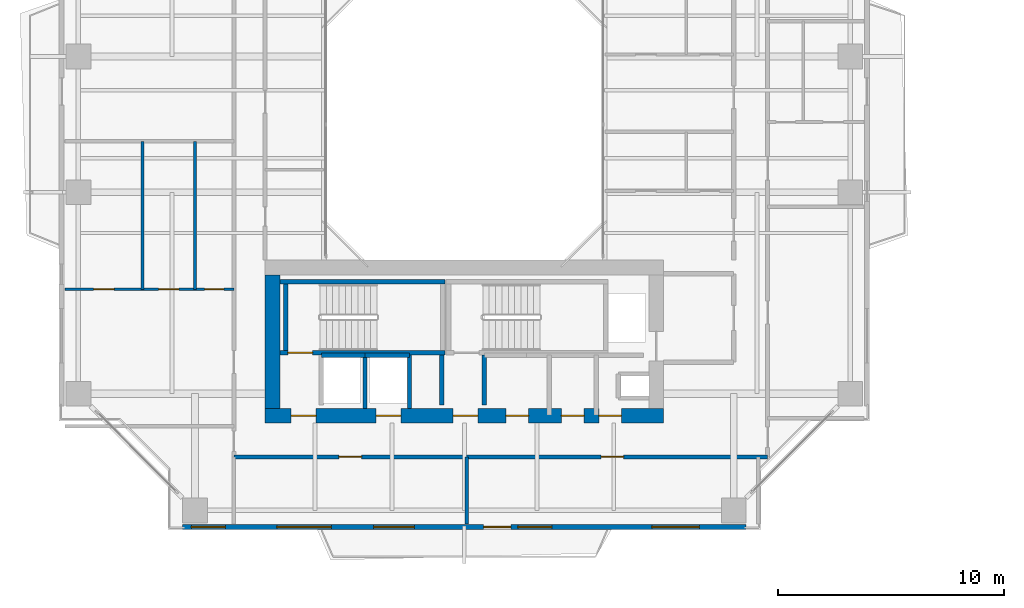
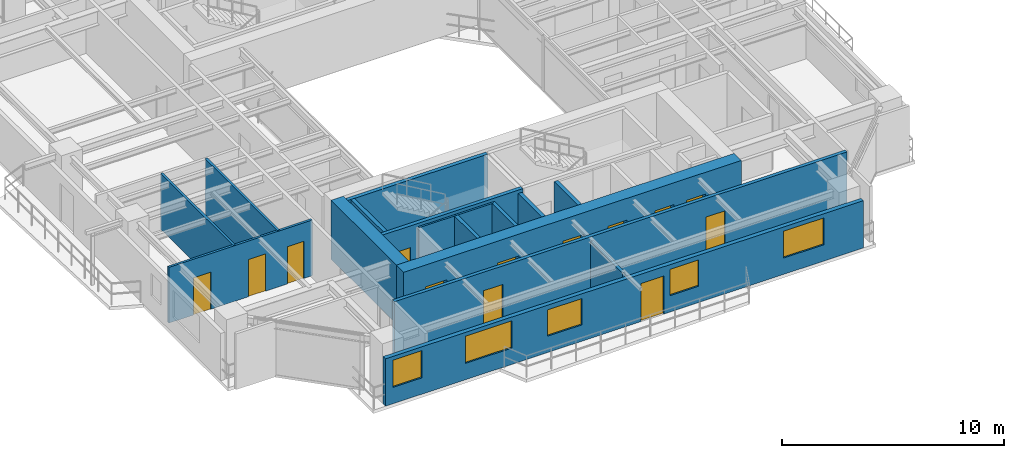
# One storey, part 13 of 23: 17 walls, 13 doors, 5 windows, 18 openings.
"""IFC4 building model written with IfcOpenShell, lengths in metres."""

from ifc_helpers import new_model, si_unit, direction, frame, frame_2d, origin, place, context, subcontext, project, spatial, rectangle, extrude, source, transform, mapped, material, layer, layer_set, type_object, element, fill, save


model = new_model("IFC4")

# Units and contexts
model_context = context("Model", 3, precision=1e-05, world=origin(), true_north=direction((0.0, 1.0)))
body_context = subcontext(model_context, "Body", "Model", "MODEL_VIEW")
ifc_project = project(units=[si_unit("LENGTHUNIT", "METRE"), si_unit("AREAUNIT", "SQUARE_METRE"), si_unit("VOLUMEUNIT", "CUBIC_METRE"), si_unit("PLANEANGLEUNIT", "RADIAN"), si_unit("MASSUNIT", "GRAM", prefix="KILO"), si_unit("THERMODYNAMICTEMPERATUREUNIT", "KELVIN"), si_unit("POWERUNIT", "WATT")], contexts=[model_context])

# Site, building, storey
site_placement = place(None, origin())
site = spatial("IfcSite", under=ifc_project, at=site_placement, CompositionType="ELEMENT")
building_placement = place(site_placement, origin())
building = spatial("IfcBuilding", under=site, at=building_placement, Name="Qiaomeng Ring Towers", CompositionType="ELEMENT")
storey_placement = place(building_placement, frame((0.0, 0.0, 100.25)))
storey = spatial("IfcBuildingStorey", under=building, at=storey_placement, Name="L28", CompositionType="ELEMENT", Elevation=100.25)

# Wall, openings, windows, door
ifc_material_1 = material(Name="Precast concrete C40", Category="concrete")
ifc_layer_1 = layer(ifc_material_1, 0.219970703125, Name="Precast concrete C40")
ifc_layer_set_1 = layer_set([ifc_layer_1], Name="Precast concrete C40")
wall_type_1 = type_object("IfcWallType", Name="ARC-WL-EW2", PredefinedType="STANDARD", material=ifc_layer_set_1)
wall_1_placement = place(storey_placement, frame((6.550048828125, 5.2099609375, 0.0), z_axis=(0.0, 0.0, 1.0), x_axis=(1.0, 0.0, 0.0)))
wall_1 = element("IfcWall", 1, at=wall_1_placement, inside=storey, type_object=wall_type_1, Name="L28 Tower 1 S Exterior Wall", PredefinedType="STANDARD", context=body_context, shape_type="SweptSolid", body=[
    extrude(rectangle(XDim=24.89990234375, YDim=0.219970703125, at=frame_2d((12.449951171875, 0.0))), origin(), (0.0, 0.0, 1.0), 2.610107421875),
])
opening_1_placement = place(wall_1_placement, frame((13.300048828125, 0.0, 0.0)))
opening_1 = element("IfcOpeningElement", 2, at=opening_1_placement, cuts=wall_1, Name="Opening BD1", PredefinedType="OPENING", context=body_context, shape_type="SweptSolid", body=[
    extrude(rectangle(XDim=1.199951171875, YDim=2.10009765625, at=frame_2d((0.60009765625, 1.050048828125))), frame((0.0, 0.119873046875, 0.0), z_axis=(0.0, -1.0, 0.0), x_axis=(1.0, 0.0, 0.0)), (0.0, 0.0, 1.0), 0.239990234375),
])
opening_2_placement = place(wall_1_placement, frame((0.392578125, 0.0, 0.89990234375)))
opening_2 = element("IfcOpeningElement", 3, at=opening_2_placement, cuts=wall_1, Name="Opening WN2", PredefinedType="OPENING", context=body_context, shape_type="SweptSolid", body=[
    extrude(rectangle(XDim=1.5, YDim=1.5, at=frame_2d((0.75, 0.75))), frame((0.0, 0.119873046875, 0.0), z_axis=(0.0, -1.0, 0.0), x_axis=(1.0, 0.0, 0.0)), (0.0, 0.0, 1.0), 0.239990234375),
])
opening_3_placement = place(wall_1_placement, frame((8.43798828125, 0.0, 0.89990234375)))
opening_3 = element("IfcOpeningElement", 4, at=opening_3_placement, cuts=wall_1, Name="Opening WN1", PredefinedType="OPENING", context=body_context, shape_type="SweptSolid", body=[
    extrude(rectangle(XDim=1.800048828125, YDim=1.449951171875, at=frame_2d((0.89990234375, 0.72509765625))), frame((0.0, 0.119873046875, 0.0), z_axis=(0.0, -1.0, 0.0), x_axis=(1.0, 0.0, 0.0)), (0.0, 0.0, 1.0), 0.239990234375),
])
opening_4_placement = place(wall_1_placement, frame((14.81298828125, 0.0, 0.89990234375)))
opening_4 = element("IfcOpeningElement", 5, at=opening_4_placement, cuts=wall_1, Name="Opening WN2", PredefinedType="OPENING", context=body_context, shape_type="SweptSolid", body=[
    extrude(rectangle(XDim=1.5, YDim=1.449951171875, at=frame_2d((0.75, 0.72509765625))), frame((0.0, 0.119873046875, 0.0), z_axis=(0.0, -1.0, 0.0), x_axis=(1.0, 0.0, 0.0)), (0.0, 0.0, 1.0), 0.239990234375),
])
opening_5_placement = place(wall_1_placement, frame((20.738037109375, 0.0, 0.89990234375)))
opening_5 = element("IfcOpeningElement", 6, at=opening_5_placement, cuts=wall_1, Name="Opening WN4", PredefinedType="OPENING", context=body_context, shape_type="SweptSolid", body=[
    extrude(rectangle(XDim=2.10009765625, YDim=1.47998046875, at=frame_2d((1.050048828125, 0.739990234375))), frame((0.0, 0.119873046875, 0.0), z_axis=(0.0, -1.0, 0.0), x_axis=(1.0, 0.0, 0.0)), (0.0, 0.0, 1.0), 0.239990234375),
])
opening_6_placement = place(wall_1_placement, frame((4.17138671875, 0.0, 0.89990234375)))
opening_6 = element("IfcOpeningElement", 7, at=opening_6_placement, cuts=wall_1, Name="Opening WN6", PredefinedType="OPENING", context=body_context, shape_type="SweptSolid", body=[
    extrude(rectangle(XDim=2.39990234375, YDim=1.5, at=frame_2d((1.199951171875, 0.75))), frame((0.0, 0.119873046875, 0.0), z_axis=(0.0, -1.0, 0.0), x_axis=(1.0, 0.0, 0.0)), (0.0, 0.0, 1.0), 0.239990234375),
])
ifc_material_2 = material(Name="Low-E dark-grey laminated double glazing", Category="glass")
window_type_1 = type_object("IfcWindowType", Name="ARC-WN-2", PartitioningType="DOUBLE_PANEL_VERTICAL", PredefinedType="WINDOW", material=ifc_material_2)
shared_shape_1 = source(origin(), body_context, "Body", "SweptSolid", [
    extrude(rectangle(XDim=1.5, YDim=1.449951171875, at=frame_2d((0.75, 0.72509765625))), frame((0.0, 0.030029296875, 0.0), z_axis=(0.0, -1.0, 0.0), x_axis=(1.0, 0.0, 0.0)), (0.0, 0.0, 1.0), 0.06005859375),
])
window_1_placement = place(opening_4_placement, origin())
window_1 = element("IfcWindow", 8, at=window_1_placement, inside=storey, type_object=window_type_1, Name="L28 Exterior Window WN2", OverallHeight=1.449951171875, OverallWidth=1.5, PartitioningType="DOUBLE_PANEL_VERTICAL", PredefinedType="WINDOW", context=body_context, shape_type="MappedRepresentation", body=[
    mapped(shared_shape_1, transform((0.0, 0.0, 0.0), x_axis=(1.0, 0.0, 0.0), y_axis=(0.0, 1.0, 0.0), z_axis=(0.0, 0.0, 1.0), scale=1.0)),
])
fill(opening_4, window_1)
window_type_2 = type_object("IfcWindowType", Name="ARC-WN-4", PartitioningType="TRIPLE_PANEL_VERTICAL", PredefinedType="WINDOW", material=ifc_material_2)
shared_shape_2 = source(origin(), body_context, "Body", "SweptSolid", [
    extrude(rectangle(XDim=2.10009765625, YDim=1.47998046875, at=frame_2d((1.050048828125, 0.739990234375))), frame((0.0, 0.030029296875, 0.0), z_axis=(0.0, -1.0, 0.0), x_axis=(1.0, 0.0, 0.0)), (0.0, 0.0, 1.0), 0.06005859375),
])
window_2_placement = place(opening_5_placement, origin())
window_2 = element("IfcWindow", 9, at=window_2_placement, inside=storey, type_object=window_type_2, Name="L28 Exterior Window WN4", OverallHeight=1.47998046875, OverallWidth=2.10009765625, PartitioningType="TRIPLE_PANEL_VERTICAL", PredefinedType="WINDOW", context=body_context, shape_type="MappedRepresentation", body=[
    mapped(shared_shape_2, transform((0.0, 0.0, 0.0), x_axis=(1.0, 0.0, 0.0), y_axis=(0.0, 1.0, 0.0), z_axis=(0.0, 0.0, 1.0), scale=1.0)),
])
fill(opening_5, window_2)
window_type_3 = type_object("IfcWindowType", Name="ARC-WN-1", PartitioningType="DOUBLE_PANEL_VERTICAL", PredefinedType="WINDOW", material=ifc_material_2)
shared_shape_3 = source(origin(), body_context, "Body", "SweptSolid", [
    extrude(rectangle(XDim=1.800048828125, YDim=1.449951171875, at=frame_2d((0.89990234375, 0.72509765625))), frame((0.0, 0.030029296875, 0.0), z_axis=(0.0, -1.0, 0.0), x_axis=(1.0, 0.0, 0.0)), (0.0, 0.0, 1.0), 0.06005859375),
])
window_3_placement = place(opening_3_placement, origin())
window_3 = element("IfcWindow", 10, at=window_3_placement, inside=storey, type_object=window_type_3, Name="L28 Exterior Window WN1", OverallHeight=1.449951171875, OverallWidth=1.800048828125, PartitioningType="DOUBLE_PANEL_VERTICAL", PredefinedType="WINDOW", context=body_context, shape_type="MappedRepresentation", body=[
    mapped(shared_shape_3, transform((0.0, 0.0, 0.0), x_axis=(1.0, 0.0, 0.0), y_axis=(0.0, 1.0, 0.0), z_axis=(0.0, 0.0, 1.0), scale=1.0)),
])
fill(opening_3, window_3)
door_type_1 = type_object("IfcDoorType", Name="ARC-DR-BD1", OperationType="NOTDEFINED", PredefinedType="DOOR", material=ifc_material_2)
shared_shape_4 = source(origin(), body_context, "Body", "SweptSolid", [
    extrude(rectangle(XDim=1.199951171875, YDim=2.10009765625, at=frame_2d((0.60009765625, 1.050048828125))), frame((0.0, 0.02490234375, 0.0), z_axis=(0.0, -1.0, 0.0), x_axis=(1.0, 0.0, 0.0)), (0.0, 0.0, 1.0), 0.050048828125),
])
door_1_placement = place(opening_1_placement, frame((1.199951171875, 0.0, 0.0), z_axis=(0.0, 0.0, 1.0), x_axis=(-1.0, 0.0, 0.0)))
door_1 = element("IfcDoor", 11, at=door_1_placement, inside=storey, type_object=door_type_1, Name="L28 S Balcony Glazed Door", OperationType="SINGLE_SWING_LEFT", OverallHeight=2.10009765625, OverallWidth=1.199951171875, PredefinedType="DOOR", context=body_context, shape_type="MappedRepresentation", body=[
    mapped(shared_shape_4, transform((0.0, 0.0, 0.0), x_axis=(1.0, 0.0, 0.0), y_axis=(0.0, 1.0, 0.0), z_axis=(0.0, 0.0, 1.0), scale=1.0)),
])
fill(opening_1, door_1)
shared_shape_5 = source(origin(), body_context, "Body", "SweptSolid", [
    extrude(rectangle(XDim=1.5, YDim=1.5, at=frame_2d((0.75, 0.75))), frame((0.0, 0.030029296875, 0.0), z_axis=(0.0, -1.0, 0.0), x_axis=(1.0, 0.0, 0.0)), (0.0, 0.0, 1.0), 0.06005859375),
])
window_4_placement = place(opening_2_placement, origin())
window_4 = element("IfcWindow", 12, at=window_4_placement, inside=storey, type_object=window_type_1, Name="L28 Exterior Window WN6", OverallHeight=1.5, OverallWidth=1.5, PartitioningType="TRIPLE_PANEL_VERTICAL", PredefinedType="WINDOW", context=body_context, shape_type="MappedRepresentation", body=[
    mapped(shared_shape_5, transform((0.0, 0.0, 0.0), x_axis=(1.0, 0.0, 0.0), y_axis=(0.0, 1.0, 0.0), z_axis=(0.0, 0.0, 1.0), scale=1.0)),
])
fill(opening_2, window_4)
window_type_4 = type_object("IfcWindowType", Name="ARC-WN-6", PartitioningType="TRIPLE_PANEL_VERTICAL", PredefinedType="WINDOW", material=ifc_material_2)
shared_shape_6 = source(origin(), body_context, "Body", "SweptSolid", [
    extrude(rectangle(XDim=2.39990234375, YDim=1.5, at=frame_2d((1.199951171875, 0.75))), frame((0.0, 0.030029296875, 0.0), z_axis=(0.0, -1.0, 0.0), x_axis=(1.0, 0.0, 0.0)), (0.0, 0.0, 1.0), 0.06005859375),
])
window_5_placement = place(opening_6_placement, origin())
window_5 = element("IfcWindow", 13, at=window_5_placement, inside=storey, type_object=window_type_4, Name="L28 Exterior Window WN6", OverallHeight=1.5, OverallWidth=2.39990234375, PartitioningType="TRIPLE_PANEL_VERTICAL", PredefinedType="WINDOW", context=body_context, shape_type="MappedRepresentation", body=[
    mapped(shared_shape_6, transform((0.0, 0.0, 0.0), x_axis=(1.0, 0.0, 0.0), y_axis=(0.0, 1.0, 0.0), z_axis=(0.0, 0.0, 1.0), scale=1.0)),
])
fill(opening_6, window_5)

# Walls
ifc_material_3 = material(Name="Autoclaved aerated concrete block", Category="concrete")
ifc_layer_2 = layer(ifc_material_3, 0.199951171875, Name="Autoclaved aerated concrete block")
ifc_layer_set_2 = layer_set([ifc_layer_2], Name="Autoclaved aerated concrete block")
wall_type_2 = type_object("IfcWallType", Name="ARC-WL-PW1", PredefinedType="PARTITIONING", material=ifc_layer_set_2)
for number, where, z_axis, x_axis, name in (
    (14, (18.0, 10.60009765625, 0.0), (0.0, 0.0, 1.0), (0.0, 1.0, 0.0), "L28 Interior Wall PW1"),
    (15, (19.8798828125, 10.60009765625, 0.0), (0.0, 0.0, 1.0), (0.0, 1.0, 0.0), "L28 Interior Wall PW1"),
):
    element("IfcWall", number, at=place(storey_placement, frame(where, z_axis=z_axis, x_axis=x_axis)), inside=storey, type_object=wall_type_2, Name=name, PredefinedType="PARTITIONING", context=body_context, shape_type="SweptSolid", body=[
        extrude(rectangle(XDim=2.2099609375, YDim=0.199951171875, at=frame_2d((1.10498046875, 0.0))), origin(), (0.0, 0.0, 1.0), 3.070068359375),
    ])

# Wall, openings, doors
ifc_layer_3 = layer(ifc_material_3, 0.179931640625, Name="Autoclaved aerated concrete block")
ifc_layer_set_3 = layer_set([ifc_layer_3], Name="Autoclaved aerated concrete block")
wall_type_3 = type_object("IfcWallType", Name="ARC-WL-PW2", PredefinedType="PARTITIONING", material=ifc_layer_set_3)
wall_2_placement = place(storey_placement, frame((8.820068359375, 8.31005859375, 0.0), z_axis=(0.0, 0.0, 1.0), x_axis=(1.0, 0.0, 0.0)))
wall_2 = element("IfcWall", 16, at=wall_2_placement, inside=storey, type_object=wall_type_3, Name="L28 Interior Wall PW2", PredefinedType="PARTITIONING", context=body_context, shape_type="SweptSolid", body=[
    extrude(rectangle(XDim=23.579833984375, YDim=0.179931640625, at=frame_2d((11.7900390625, 0.0))), origin(), (0.0, 0.0, 1.0), 3.070068359375),
])
opening_7_placement = place(wall_2_placement, frame((4.639892578125, 0.0, 0.0)))
opening_7 = element("IfcOpeningElement", 17, at=opening_7_placement, cuts=wall_2, Name="Opening FD4", PredefinedType="OPENING", context=body_context, shape_type="SweptSolid", body=[
    extrude(rectangle(XDim=1.0, YDim=2.050048828125, at=frame_2d((0.5, 1.02490234375))), frame((0.0, 0.099853515625, 0.0), z_axis=(0.0, -1.0, 0.0), x_axis=(1.0, 0.0, 0.0)), (0.0, 0.0, 1.0), 0.199951171875),
])
opening_8_placement = place(wall_2_placement, frame((16.219970703125, 0.0, 0.0)))
opening_8 = element("IfcOpeningElement", 18, at=opening_8_placement, cuts=wall_2, Name="Opening FD4", PredefinedType="OPENING", context=body_context, shape_type="SweptSolid", body=[
    extrude(rectangle(XDim=1.0, YDim=2.050048828125, at=frame_2d((0.5, 1.02490234375))), frame((0.0, 0.099853515625, 0.0), z_axis=(0.0, -1.0, 0.0), x_axis=(1.0, 0.0, 0.0)), (0.0, 0.0, 1.0), 0.199951171875),
])
ifc_material_4 = material(Name="Engineered fire-rated oak timber", Category="wood")
door_type_2 = type_object("IfcDoorType", Name="ARC-DR-FD4", OperationType="NOTDEFINED", PredefinedType="DOOR", material=ifc_material_4)
shared_shape_7 = source(origin(), body_context, "Body", "SweptSolid", [
    extrude(rectangle(XDim=1.0, YDim=2.050048828125, at=frame_2d((0.5, 1.02490234375))), frame((0.0, 0.02490234375, 0.0), z_axis=(0.0, -1.0, 0.0), x_axis=(1.0, 0.0, 0.0)), (0.0, 0.0, 1.0), 0.050048828125),
])
door_2_placement = place(opening_7_placement, origin())
door_2 = element("IfcDoor", 19, at=door_2_placement, inside=storey, type_object=door_type_2, Name="L28 Door FD4", OperationType="SINGLE_SWING_LEFT", OverallHeight=2.050048828125, OverallWidth=1.0, PredefinedType="DOOR", context=body_context, shape_type="MappedRepresentation", body=[
    mapped(shared_shape_7, transform((0.0, 0.0, 0.0), x_axis=(1.0, 0.0, 0.0), y_axis=(0.0, 1.0, 0.0), z_axis=(0.0, 0.0, 1.0), scale=1.0)),
])
fill(opening_7, door_2)
door_3_placement = place(opening_8_placement, origin())
door_3 = element("IfcDoor", 20, at=door_3_placement, inside=storey, type_object=door_type_2, Name="L28 Door FD4", OperationType="SINGLE_SWING_RIGHT", OverallHeight=2.050048828125, OverallWidth=1.0, PredefinedType="DOOR", context=body_context, shape_type="MappedRepresentation", body=[
    mapped(shared_shape_7, transform((0.0, 0.0, 0.0), x_axis=(1.0, 0.0, 0.0), y_axis=(0.0, 1.0, 0.0), z_axis=(0.0, 0.0, 1.0), scale=1.0)),
])
fill(opening_8, door_3)

# Wall
ifc_material_5 = material(Name="Gypsum fireboard steel-stud partition", Category="steel")
ifc_layer_4 = layer(ifc_material_5, 0.14990234375, Name="Gypsum fireboard steel-stud partition")
ifc_layer_set_4 = layer_set([ifc_layer_4], Name="Gypsum fireboard steel-stud partition")
wall_type_4 = type_object("IfcWallType", Name="ARC-WL-PW3", PredefinedType="PARTITIONING", material=ifc_layer_set_4)
wall_3_placement = place(storey_placement, frame((19.10009765625, 5.35009765625, 0.0), z_axis=(0.0, 0.0, 1.0), x_axis=(0.0, 1.0, 0.0)))
element("IfcWall", 21, at=wall_3_placement, inside=storey, type_object=wall_type_4, Name="L28 Interior Wall PW3", PredefinedType="PARTITIONING", context=body_context, shape_type="SweptSolid", body=[
    extrude(rectangle(XDim=2.9599609375, YDim=0.14990234375, at=frame_2d((1.47998046875, 0.0))), origin(), (0.0, 0.0, 1.0), 2.821044921875),
])

# Wall, openings, doors
ifc_material_6 = material(Name="Moisture-resistant gypsum steel-stud partition", Category="steel")
ifc_layer_5 = layer(ifc_material_6, 0.1201171875, Name="Moisture-resistant gypsum steel-stud partition")
ifc_layer_set_5 = layer_set([ifc_layer_5], Name="Moisture-resistant gypsum steel-stud partition")
wall_type_5 = type_object("IfcWallType", Name="ARC-WL-PW4", PredefinedType="PLUMBINGWALL", material=ifc_layer_set_5)
wall_4_placement = place(storey_placement, frame((1.35009765625, 15.7099609375, 0.0), z_axis=(0.0, 0.0, 1.0), x_axis=(1.0, 0.0, 0.0)))
wall_4 = element("IfcWall", 22, at=wall_4_placement, inside=storey, type_object=wall_type_5, Name="L28 Interior Wall PW4", PredefinedType="PLUMBINGWALL", context=body_context, shape_type="SweptSolid", body=[
    extrude(rectangle(XDim=7.469970703125, YDim=0.1201171875, at=frame_2d((3.73486328125, 0.0))), origin(), (0.0, 0.0, 1.0), 3.070068359375),
])
opening_9_placement = place(wall_4_placement, frame((1.27490234375, 0.0, 0.0)))
opening_9 = element("IfcOpeningElement", 23, at=opening_9_placement, cuts=wall_4, Name="Opening ID1", PredefinedType="OPENING", context=body_context, shape_type="SweptSolid", body=[
    extrude(rectangle(XDim=0.89990234375, YDim=2.050048828125, at=frame_2d((0.449951171875, 1.02490234375))), frame((0.0, 0.070068359375, 0.0), z_axis=(0.0, -1.0, 0.0), x_axis=(1.0, 0.0, 0.0)), (0.0, 0.0, 1.0), 0.14013671875),
])
opening_10_placement = place(wall_4_placement, frame((4.139892578125, 0.0, 0.0)))
opening_10 = element("IfcOpeningElement", 24, at=opening_10_placement, cuts=wall_4, Name="Opening ID1", PredefinedType="OPENING", context=body_context, shape_type="SweptSolid", body=[
    extrude(rectangle(XDim=0.89990234375, YDim=2.050048828125, at=frame_2d((0.449951171875, 1.02490234375))), frame((0.0, 0.070068359375, 0.0), z_axis=(0.0, -1.0, 0.0), x_axis=(1.0, 0.0, 0.0)), (0.0, 0.0, 1.0), 0.14013671875),
])
opening_11_placement = place(wall_4_placement, frame((6.175048828125, 0.0, 0.0)))
opening_11 = element("IfcOpeningElement", 25, at=opening_11_placement, cuts=wall_4, Name="Opening ID2", PredefinedType="OPENING", context=body_context, shape_type="SweptSolid", body=[
    extrude(rectangle(XDim=0.85009765625, YDim=2.050048828125, at=frame_2d((0.425048828125, 1.02490234375))), frame((0.0, 0.070068359375, 0.0), z_axis=(0.0, -1.0, 0.0), x_axis=(1.0, 0.0, 0.0)), (0.0, 0.0, 1.0), 0.14013671875),
])
ifc_material_7 = material(Name="Moisture-resistant engineered timber", Category="wood")
door_type_3 = type_object("IfcDoorType", Name="ARC-DR-ID2", OperationType="NOTDEFINED", PredefinedType="DOOR", material=ifc_material_7)
shared_shape_8 = source(origin(), body_context, "Body", "SweptSolid", [
    extrude(rectangle(XDim=0.85009765625, YDim=2.050048828125, at=frame_2d((0.425048828125, 1.02490234375))), frame((0.0, 0.02490234375, 0.0), z_axis=(0.0, -1.0, 0.0), x_axis=(1.0, 0.0, 0.0)), (0.0, 0.0, 1.0), 0.050048828125),
])
door_4_placement = place(opening_11_placement, origin())
door_4 = element("IfcDoor", 26, at=door_4_placement, inside=storey, type_object=door_type_3, Name="L28 Door ID2", OperationType="SINGLE_SWING_LEFT", OverallHeight=2.050048828125, OverallWidth=0.85009765625, PredefinedType="DOOR", context=body_context, shape_type="MappedRepresentation", body=[
    mapped(shared_shape_8, transform((0.0, 0.0, 0.0), x_axis=(1.0, 0.0, 0.0), y_axis=(0.0, 1.0, 0.0), z_axis=(0.0, 0.0, 1.0), scale=1.0)),
])
fill(opening_11, door_4)
ifc_material_8 = material(Name="Engineered oak timber", Category="wood")
door_type_4 = type_object("IfcDoorType", Name="ARC-DR-ID1", OperationType="NOTDEFINED", PredefinedType="DOOR", material=ifc_material_8)
shared_shape_9 = source(origin(), body_context, "Body", "SweptSolid", [
    extrude(rectangle(XDim=0.89990234375, YDim=2.050048828125, at=frame_2d((0.449951171875, 1.02490234375))), frame((0.0, 0.02490234375, 0.0), z_axis=(0.0, -1.0, 0.0), x_axis=(1.0, 0.0, 0.0)), (0.0, 0.0, 1.0), 0.050048828125),
])
door_5_placement = place(opening_9_placement, origin())
door_5 = element("IfcDoor", 27, at=door_5_placement, inside=storey, type_object=door_type_4, Name="L28 Door ID1", OperationType="SINGLE_SWING_LEFT", OverallHeight=2.050048828125, OverallWidth=0.89990234375, PredefinedType="DOOR", context=body_context, shape_type="MappedRepresentation", body=[
    mapped(shared_shape_9, transform((0.0, 0.0, 0.0), x_axis=(1.0, 0.0, 0.0), y_axis=(0.0, 1.0, 0.0), z_axis=(0.0, 0.0, 1.0), scale=1.0)),
])
fill(opening_9, door_5)
door_6_placement = place(opening_10_placement, origin())
door_6 = element("IfcDoor", 28, at=door_6_placement, inside=storey, type_object=door_type_4, Name="L28 Door ID1", OperationType="SINGLE_SWING_RIGHT", OverallHeight=2.050048828125, OverallWidth=0.89990234375, PredefinedType="DOOR", context=body_context, shape_type="MappedRepresentation", body=[
    mapped(shared_shape_9, transform((0.0, 0.0, 0.0), x_axis=(1.0, 0.0, 0.0), y_axis=(0.0, 1.0, 0.0), z_axis=(0.0, 0.0, 1.0), scale=1.0)),
])
fill(opening_10, door_6)

# Walls
for number, where, z_axis, x_axis, name in (
    (29, (4.780029296875, 15.7099609375, 0.0), (0.0, 0.0, 1.0), (0.0, 1.0, 0.0), "L28 Interior Wall PW4"),
    (30, (7.10009765625, 15.7099609375, 0.0), (0.0, 0.0, 1.0), (0.0, 1.0, 0.0), "L28 Interior Wall PW4"),
):
    element("IfcWall", number, at=place(storey_placement, frame(where, z_axis=z_axis, x_axis=x_axis)), inside=storey, type_object=wall_type_5, Name=name, PredefinedType="PLUMBINGWALL", context=body_context, shape_type="SweptSolid", body=[
        extrude(rectangle(XDim=6.5400390625, YDim=0.1201171875, at=frame_2d((3.27001953125, 0.0))), origin(), (0.0, 0.0, 1.0), 3.070068359375),
    ])
ifc_material_9 = material(Name="Concrete C40", Category="concrete")
ifc_layer_6 = layer(ifc_material_9, 0.199951171875, Name="Concrete C40")
ifc_layer_set_6 = layer_set([ifc_layer_6], Name="Concrete C40")
wall_type_6 = type_object("IfcWallType", Name="STR-WL-STSHAFT", PredefinedType="SHEAR", material=ifc_layer_set_6)
wall_5_placement = place(storey_placement, frame((12.679931640625, 12.800048828125, 0.0), z_axis=(0.0, 0.0, 1.0), x_axis=(1.0, 0.0, 0.0)))
element("IfcWall", 31, at=wall_5_placement, inside=storey, type_object=wall_type_6, Name="L28 Lift LP6 Shaft Back Wall", PredefinedType="SHEAR", context=body_context, shape_type="SweptSolid", body=[
    extrude(rectangle(XDim=1.940185546875, YDim=0.179931640625, at=frame_2d((0.97021484375, 0.0))), origin(), (0.0, 0.0, 1.0), 3.070068359375),
])
wall_6_placement = place(storey_placement, frame((14.6201171875, 10.449951171875, 0.0), z_axis=(0.0, 0.0, 1.0), x_axis=(0.0, 1.0, 0.0)))
element("IfcWall", 32, at=wall_6_placement, inside=storey, type_object=wall_type_6, Name="L28 Lift LP6-LP4 Shaft Divider Wall", PredefinedType="SHEAR", context=body_context, shape_type="SweptSolid", body=[
    extrude(rectangle(XDim=2.35009765625, YDim=0.179931640625, at=frame_2d((1.175048828125, 0.0))), origin(), (0.0, 0.0, 1.0), 3.070068359375),
])
wall_7_placement = place(storey_placement, frame((14.6201171875, 12.800048828125, 0.0), z_axis=(0.0, 0.0, 1.0), x_axis=(1.0, 0.0, 0.0)))
element("IfcWall", 33, at=wall_7_placement, inside=storey, type_object=wall_type_6, Name="L28 Lift LP4 Shaft Back Wall", PredefinedType="SHEAR", context=body_context, shape_type="SweptSolid", body=[
    extrude(rectangle(XDim=1.9599609375, YDim=0.179931640625, at=frame_2d((0.97998046875, 0.0))), origin(), (0.0, 0.0, 1.0), 3.070068359375),
])
wall_8_placement = place(storey_placement, frame((16.580078125, 10.449951171875, 0.0), z_axis=(0.0, 0.0, 1.0), x_axis=(0.0, 1.0, 0.0)))
element("IfcWall", 34, at=wall_8_placement, inside=storey, type_object=wall_type_6, Name="L28 Lift LP4 East Shaft Wall", PredefinedType="SHEAR", context=body_context, shape_type="SweptSolid", body=[
    extrude(rectangle(XDim=2.35009765625, YDim=0.179931640625, at=frame_2d((1.175048828125, 0.0))), origin(), (0.0, 0.0, 1.0), 3.070068359375),
])

# Wall, opening, door
wall_9_placement = place(storey_placement, frame((10.85009765625, 12.909912109375, 0.0), z_axis=(0.0, 0.0, 1.0), x_axis=(1.0, 0.0, 0.0)))
wall_9 = element("IfcWall", 35, at=wall_9_placement, inside=storey, type_object=wall_type_6, Name="L28 Stair ST3 South Shaft Shear Wall", PredefinedType="SHEAR", context=body_context, shape_type="SweptSolid", body=[
    extrude(rectangle(XDim=7.2998046875, YDim=0.199951171875, at=frame_2d((3.64990234375, 0.0))), origin(), (0.0, 0.0, 1.0), 3.25),
])
opening_12_placement = place(wall_9_placement, frame((0.35009765625, 0.0, 0.0)))
opening_12 = element("IfcOpeningElement", 36, at=opening_12_placement, cuts=wall_9, Name="Opening FD3", PredefinedType="OPENING", context=body_context, shape_type="SweptSolid", body=[
    extrude(rectangle(XDim=1.10009765625, YDim=2.050048828125, at=frame_2d((0.550048828125, 1.02490234375))), frame((0.0, 0.10986328125, 0.0), z_axis=(0.0, -1.0, 0.0), x_axis=(1.0, 0.0, 0.0)), (0.0, 0.0, 1.0), 0.219970703125),
])
ifc_material_10 = material(Name="Galvanised steel", Category="steel")
door_type_5 = type_object("IfcDoorType", Name="ARC-DR-FD3", OperationType="NOTDEFINED", PredefinedType="DOOR", material=ifc_material_10)
shared_shape_10 = source(origin(), body_context, "Body", "SweptSolid", [
    extrude(rectangle(XDim=1.10009765625, YDim=2.050048828125, at=frame_2d((0.550048828125, 1.02490234375))), frame((0.0, 0.02490234375, 0.0), z_axis=(0.0, -1.0, 0.0), x_axis=(1.0, 0.0, 0.0)), (0.0, 0.0, 1.0), 0.050048828125),
])
door_7_placement = place(opening_12_placement, frame((1.10009765625, 0.0, 0.0), z_axis=(0.0, 0.0, 1.0), x_axis=(-1.0, 0.0, 0.0)))
door_7 = element("IfcDoor", 37, at=door_7_placement, inside=storey, type_object=door_type_5, Name="L28 Stair ST3 Exit Door", OperationType="SINGLE_SWING_RIGHT", OverallHeight=2.050048828125, OverallWidth=1.10009765625, PredefinedType="DOOR", context=body_context, shape_type="MappedRepresentation", body=[
    mapped(shared_shape_10, transform((0.0, 0.0, 0.0), x_axis=(1.0, 0.0, 0.0), y_axis=(0.0, 1.0, 0.0), z_axis=(0.0, 0.0, 1.0), scale=1.0)),
])
fill(opening_12, door_7)

# Walls
wall_10_placement = place(storey_placement, frame((10.85009765625, 16.050048828125, 0.0), z_axis=(0.0, 0.0, 1.0), x_axis=(1.0, 0.0, 0.0)))
element("IfcWall", 38, at=wall_10_placement, inside=storey, type_object=wall_type_6, Name="L28 Stair ST3 North Shaft Shear Wall", PredefinedType="SHEAR", context=body_context, shape_type="SweptSolid", body=[
    extrude(rectangle(XDim=7.2998046875, YDim=0.199951171875, at=frame_2d((3.64990234375, 0.0))), origin(), (0.0, 0.0, 1.0), 3.25),
])
wall_11_placement = place(storey_placement, frame((11.10009765625, 13.010009765625, 0.0), z_axis=(0.0, 0.0, 1.0), x_axis=(0.0, 1.0, 0.0)))
element("IfcWall", 39, at=wall_11_placement, inside=storey, type_object=wall_type_6, Name="L28 Stair ST3 West Shaft Shear Wall", PredefinedType="SHEAR", context=body_context, shape_type="SweptSolid", body=[
    extrude(rectangle(XDim=2.93994140625, YDim=0.199951171875, at=frame_2d((1.469970703125, 0.0))), origin(), (0.0, 0.0, 1.0), 3.25),
])

# Wall, openings, doors
ifc_material_11 = material(Name="Concrete C55", Category="concrete")
ifc_layer_7 = layer(ifc_material_11, 0.64990234375, Name="Concrete C55")
ifc_layer_set_7 = layer_set([ifc_layer_7], Name="Concrete C55")
wall_type_7 = type_object("IfcWallType", Name="STR-WL-SW2A", PredefinedType="SHEAR", material=ifc_layer_set_7)
wall_12_placement = place(storey_placement, frame((10.199951171875, 10.125, 0.0), z_axis=(0.0, 0.0, 1.0), x_axis=(1.0, 0.0, 0.0)))
wall_12 = element("IfcWall", 40, at=wall_12_placement, inside=storey, type_object=wall_type_7, Name="L28 T1SC south core shear wall", PredefinedType="SHEAR", context=body_context, shape_type="SweptSolid", body=[
    extrude(rectangle(XDim=17.60009765625, YDim=0.64990234375, at=frame_2d((8.800048828125, 0.0))), origin(), (0.0, 0.0, 1.0), 3.25),
])
opening_13_placement = place(wall_12_placement, frame((1.14990234375, 0.0, 0.0)))
opening_13 = element("IfcOpeningElement", 41, at=opening_13_placement, cuts=wall_12, Name="Opening FD3", PredefinedType="OPENING", context=body_context, shape_type="SweptSolid", body=[
    extrude(rectangle(XDim=1.10009765625, YDim=2.050048828125, at=frame_2d((0.550048828125, 1.02490234375))), frame((0.0, 0.3349609375, 0.0), z_axis=(0.0, -1.0, 0.0), x_axis=(1.0, 0.0, 0.0)), (0.0, 0.0, 1.0), 0.669921875),
])
opening_14_placement = place(wall_12_placement, frame((8.300048828125, 0.0, 0.0)))
opening_14 = element("IfcOpeningElement", 42, at=opening_14_placement, cuts=wall_12, Name="Opening FD3", PredefinedType="OPENING", context=body_context, shape_type="SweptSolid", body=[
    extrude(rectangle(XDim=1.10009765625, YDim=2.050048828125, at=frame_2d((0.550048828125, 1.02490234375))), frame((0.0, 0.3349609375, 0.0), z_axis=(0.0, -1.0, 0.0), x_axis=(1.0, 0.0, 0.0)), (0.0, 0.0, 1.0), 0.669921875),
])
opening_15_placement = place(wall_12_placement, frame((4.89990234375, 0.0, 0.0)))
opening_15 = element("IfcOpeningElement", 43, at=opening_15_placement, cuts=wall_12, Name="Opening LD1", PredefinedType="OPENING", context=body_context, shape_type="SweptSolid", body=[
    extrude(rectangle(XDim=1.10009765625, YDim=2.050048828125, at=frame_2d((0.550048828125, 1.02490234375))), frame((0.0, 0.3349609375, 0.0), z_axis=(0.0, -1.0, 0.0), x_axis=(1.0, 0.0, 0.0)), (0.0, 0.0, 1.0), 0.669921875),
])
opening_16_placement = place(wall_12_placement, frame((14.739990234375, 0.0, 0.0)))
opening_16 = element("IfcOpeningElement", 44, at=opening_16_placement, cuts=wall_12, Name="Opening FD1", PredefinedType="OPENING", context=body_context, shape_type="SweptSolid", body=[
    extrude(rectangle(XDim=1.0, YDim=2.050048828125, at=frame_2d((0.5, 1.02490234375))), frame((0.0, 0.3349609375, 0.0), z_axis=(0.0, -1.0, 0.0), x_axis=(1.0, 0.0, 0.0)), (0.0, 0.0, 1.0), 0.669921875),
])
opening_17_placement = place(wall_12_placement, frame((10.639892578125, 0.0, 0.0)))
opening_17 = element("IfcOpeningElement", 45, at=opening_17_placement, cuts=wall_12, Name="Opening FD1", PredefinedType="OPENING", context=body_context, shape_type="SweptSolid", body=[
    extrude(rectangle(XDim=1.0, YDim=2.050048828125, at=frame_2d((0.5, 1.02490234375))), frame((0.0, 0.3349609375, 0.0), z_axis=(0.0, -1.0, 0.0), x_axis=(1.0, 0.0, 0.0)), (0.0, 0.0, 1.0), 0.669921875),
])
opening_18_placement = place(wall_12_placement, frame((13.090087890625, 0.0, 0.0)))
opening_18 = element("IfcOpeningElement", 46, at=opening_18_placement, cuts=wall_12, Name="Opening FD1", PredefinedType="OPENING", context=body_context, shape_type="SweptSolid", body=[
    extrude(rectangle(XDim=1.0, YDim=2.050048828125, at=frame_2d((0.5, 1.02490234375))), frame((0.0, 0.3349609375, 0.0), z_axis=(0.0, -1.0, 0.0), x_axis=(1.0, 0.0, 0.0)), (0.0, 0.0, 1.0), 0.669921875),
])
door_8_placement = place(opening_13_placement, origin())
door_8 = element("IfcDoor", 47, at=door_8_placement, inside=storey, type_object=door_type_5, Name="L28 Stair ST3 Lobby Door", OperationType="SINGLE_SWING_LEFT", OverallHeight=2.050048828125, OverallWidth=1.10009765625, PredefinedType="DOOR", context=body_context, shape_type="MappedRepresentation", body=[
    mapped(shared_shape_10, transform((0.0, 0.0, 0.0), x_axis=(1.0, 0.0, 0.0), y_axis=(0.0, 1.0, 0.0), z_axis=(0.0, 0.0, 1.0), scale=1.0)),
])
fill(opening_13, door_8)
door_9_placement = place(opening_14_placement, origin())
door_9 = element("IfcDoor", 48, at=door_9_placement, inside=storey, type_object=door_type_5, Name="L28 Stair ST4 Lobby Door", OperationType="SINGLE_SWING_LEFT", OverallHeight=2.050048828125, OverallWidth=1.10009765625, PredefinedType="DOOR", context=body_context, shape_type="MappedRepresentation", body=[
    mapped(shared_shape_10, transform((0.0, 0.0, 0.0), x_axis=(1.0, 0.0, 0.0), y_axis=(0.0, 1.0, 0.0), z_axis=(0.0, 0.0, 1.0), scale=1.0)),
])
fill(opening_14, door_9)
ifc_material_12 = material(Name="Stainless steel 316", Category="steel")
door_type_6 = type_object("IfcDoorType", Name="ARC-DR-LD1", OperationType="NOTDEFINED", PredefinedType="DOOR", material=ifc_material_12)
door_10_placement = place(opening_15_placement, origin())
door_10 = element("IfcDoor", 49, at=door_10_placement, inside=storey, type_object=door_type_6, Name="L28 Mid-Zone Lift LP4 Landing Door", OperationType="SLIDING_TO_RIGHT", OverallHeight=2.050048828125, OverallWidth=1.10009765625, PredefinedType="DOOR", context=body_context, shape_type="MappedRepresentation", body=[
    mapped(shared_shape_10, transform((0.0, 0.0, 0.0), x_axis=(1.0, 0.0, 0.0), y_axis=(0.0, 1.0, 0.0), z_axis=(0.0, 0.0, 1.0), scale=1.0)),
])
fill(opening_15, door_10)
door_type_7 = type_object("IfcDoorType", Name="ARC-DR-FD1", OperationType="NOTDEFINED", PredefinedType="DOOR", material=ifc_material_10)
door_11_placement = place(opening_16_placement, origin())
door_11 = element("IfcDoor", 50, at=door_11_placement, inside=storey, type_object=door_type_7, Name="L28 South Electrical Riser Door", OperationType="SINGLE_SWING_RIGHT", OverallHeight=2.050048828125, OverallWidth=1.0, PredefinedType="DOOR", context=body_context, shape_type="MappedRepresentation", body=[
    mapped(shared_shape_7, transform((0.0, 0.0, 0.0), x_axis=(1.0, 0.0, 0.0), y_axis=(0.0, 1.0, 0.0), z_axis=(0.0, 0.0, 1.0), scale=1.0)),
])
fill(opening_16, door_11)
door_12_placement = place(opening_17_placement, origin())
door_12 = element("IfcDoor", 51, at=door_12_placement, inside=storey, type_object=door_type_7, Name="L28 South Telemetry Study Door", OperationType="SINGLE_SWING_LEFT", OverallHeight=2.050048828125, OverallWidth=1.0, PredefinedType="DOOR", context=body_context, shape_type="MappedRepresentation", body=[
    mapped(shared_shape_7, transform((0.0, 0.0, 0.0), x_axis=(1.0, 0.0, 0.0), y_axis=(0.0, 1.0, 0.0), z_axis=(0.0, 0.0, 1.0), scale=1.0)),
])
fill(opening_17, door_12)
door_13_placement = place(opening_18_placement, origin())
door_13 = element("IfcDoor", 52, at=door_13_placement, inside=storey, type_object=door_type_7, Name="L28 South Staff Pantry Door", OperationType="SINGLE_SWING_RIGHT", OverallHeight=2.050048828125, OverallWidth=1.0, PredefinedType="DOOR", context=body_context, shape_type="MappedRepresentation", body=[
    mapped(shared_shape_7, transform((0.0, 0.0, 0.0), x_axis=(1.0, 0.0, 0.0), y_axis=(0.0, 1.0, 0.0), z_axis=(0.0, 0.0, 1.0), scale=1.0)),
])
fill(opening_18, door_13)

# Wall
wall_13_placement = place(storey_placement, frame((10.52490234375, 10.449951171875, 0.0), z_axis=(0.0, 0.0, 1.0), x_axis=(0.0, 1.0, 0.0)))
element("IfcWall", 53, at=wall_13_placement, inside=storey, type_object=wall_type_7, Name="L28 T1SC west core shear wall", PredefinedType="SHEAR", context=body_context, shape_type="SweptSolid", body=[
    extrude(rectangle(XDim=5.900146484375, YDim=0.64990234375, at=frame_2d((2.9501953125, 0.0))), origin(), (0.0, 0.0, 1.0), 3.25),
])

save(model, "model.ifc")
